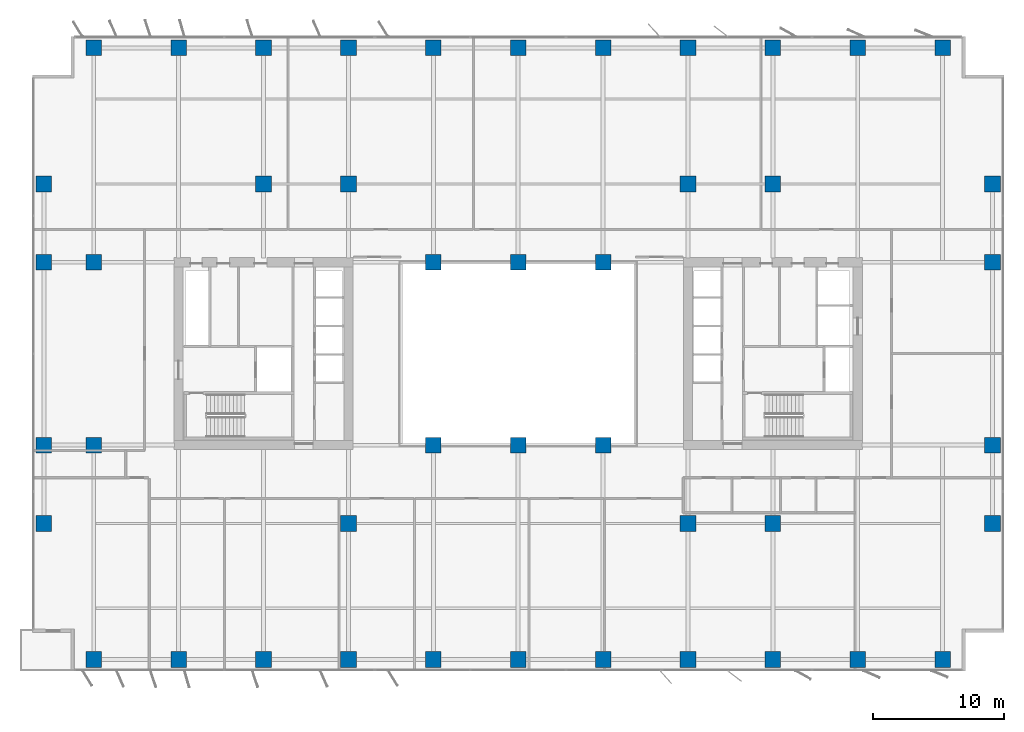
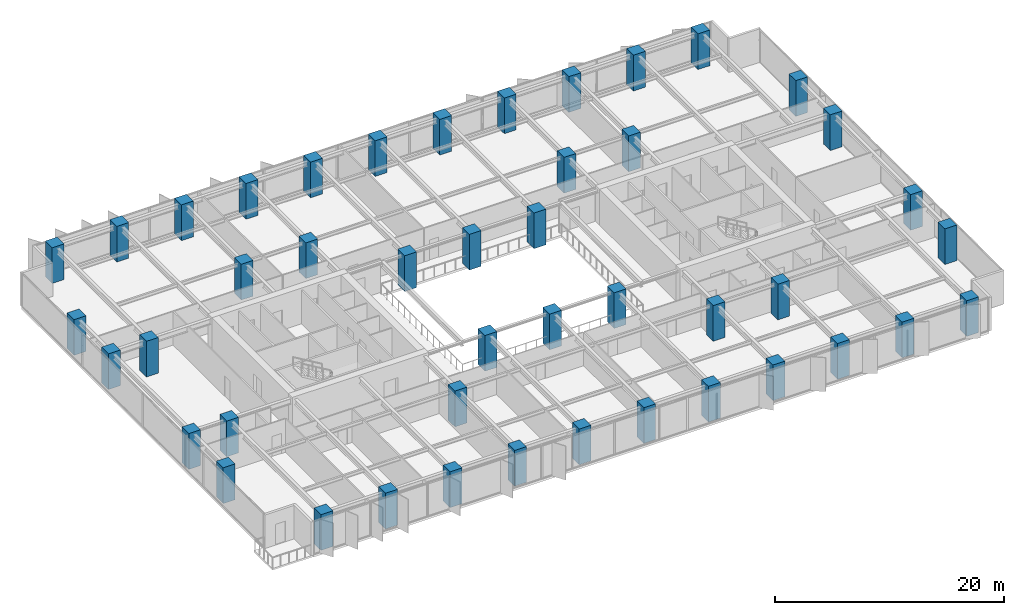
# One storey, part 1 of 20: 45 columns.
"""IFC4 building model written with IfcOpenShell, lengths in metres."""

from ifc_helpers import new_model, si_unit, direction, frame, origin, origin_2d, place, context, subcontext, project, spatial, rectangle, extrude, material, material_profile, profile_set, type_object, element, save


model = new_model("IFC4")

# Units and contexts
model_context = context("Model", 3, precision=1e-05, world=origin(), true_north=direction((0.0, 1.0)))
body_context = subcontext(model_context, "Body", "Model", "MODEL_VIEW")
ifc_project = project(units=[si_unit("LENGTHUNIT", "METRE"), si_unit("AREAUNIT", "SQUARE_METRE"), si_unit("VOLUMEUNIT", "CUBIC_METRE"), si_unit("PLANEANGLEUNIT", "RADIAN"), si_unit("MASSUNIT", "GRAM", prefix="KILO")], contexts=[model_context])

# Site, building, storey
site_placement = place(None, origin())
site = spatial("IfcSite", under=ifc_project, at=site_placement, CompositionType="ELEMENT")
building_placement = place(site_placement, origin())
building = spatial("IfcBuilding", under=site, at=building_placement, Name="Putna Gate Headquarters", CompositionType="ELEMENT")
storey_placement = place(building_placement, frame((0.0, 0.0, 101.199951171875)))
storey = spatial("IfcBuildingStorey", under=building, at=storey_placement, Name="L24", CompositionType="ELEMENT", Elevation=101.199951171875)

# Columns
ifc_material = material(Name="Concrete C60/75", Category="concrete")
ifc_material_profile_1 = material_profile(ifc_material, rectangle(XDim=1.199951171875, YDim=1.199951171875, at=origin_2d()), Name="Concrete C60/75")
ifc_profile_set_1 = profile_set([ifc_material_profile_1], Name="Concrete C60/75")
column_type_1 = type_object("IfcColumnType", Name="COL-RC1200-EXT", PredefinedType="COLUMN", material=ifc_profile_set_1)
for number, where, z_axis, x_axis, name in (
    (1, (6.5, 2.580078125, 0.0), (0.0, 0.0, 1.0), (1.0, 0.0, 0.0), "L24 Column CP-S6"),
    (2, (6.5, 49.419921875, 0.0), (0.0, 0.0, 1.0), (1.0, 0.0, 0.0), "L24 Column CP-N6"),
    (3, (13.0, 2.580078125, 0.0), (0.0, 0.0, 1.0), (1.0, 0.0, 0.0), "L24 Column CP-S13"),
    (4, (13.0, 49.419921875, 0.0), (0.0, 0.0, 1.0), (1.0, 0.0, 0.0), "L24 Column CP-N13"),
    (5, (19.5, 2.580078125, 0.0), (0.0, 0.0, 1.0), (1.0, 0.0, 0.0), "L24 Column CP-S19"),
    (6, (19.5, 49.419921875, 0.0), (0.0, 0.0, 1.0), (1.0, 0.0, 0.0), "L24 Column CP-N19"),
    (7, (26.0, 2.580078125, 0.0), (0.0, 0.0, 1.0), (1.0, 0.0, 0.0), "L24 Column CP-S26"),
    (8, (26.0, 49.419921875, 0.0), (0.0, 0.0, 1.0), (1.0, 0.0, 0.0), "L24 Column CP-N26"),
    (9, (32.5, 2.580078125, 0.0), (0.0, 0.0, 1.0), (1.0, 0.0, 0.0), "L24 Column CP-S32"),
    (10, (32.5, 49.419921875, 0.0), (0.0, 0.0, 1.0), (1.0, 0.0, 0.0), "L24 Column CP-N32"),
    (11, (39.0, 2.580078125, 0.0), (0.0, 0.0, 1.0), (1.0, 0.0, 0.0), "L24 Column CP-S39"),
    (12, (39.0, 49.419921875, 0.0), (0.0, 0.0, 1.0), (1.0, 0.0, 0.0), "L24 Column CP-N39"),
    (13, (45.5, 2.580078125, 0.0), (0.0, 0.0, 1.0), (1.0, 0.0, 0.0), "L24 Column CP-S45"),
    (14, (45.5, 49.419921875, 0.0), (0.0, 0.0, 1.0), (1.0, 0.0, 0.0), "L24 Column CP-N45"),
    (15, (52.0, 2.580078125, 0.0), (0.0, 0.0, 1.0), (1.0, 0.0, 0.0), "L24 Column CP-S52"),
    (16, (52.0, 49.419921875, 0.0), (0.0, 0.0, 1.0), (1.0, 0.0, 0.0), "L24 Column CP-N52"),
    (17, (58.5, 2.580078125, 0.0), (0.0, 0.0, 1.0), (1.0, 0.0, 0.0), "L24 Column CP-S58"),
    (18, (58.5, 49.419921875, 0.0), (0.0, 0.0, 1.0), (1.0, 0.0, 0.0), "L24 Column CP-N58"),
    (19, (65.0, 2.580078125, 0.0), (0.0, 0.0, 1.0), (1.0, 0.0, 0.0), "L24 Column CP-S65"),
    (20, (65.0, 49.419921875, 0.0), (0.0, 0.0, 1.0), (1.0, 0.0, 0.0), "L24 Column CP-N65"),
    (21, (71.5, 2.580078125, 0.0), (0.0, 0.0, 1.0), (1.0, 0.0, 0.0), "L24 Column CP-S71"),
    (22, (71.5, 49.419921875, 0.0), (0.0, 0.0, 1.0), (1.0, 0.0, 0.0), "L24 Column CP-N71"),
    (23, (2.679931640625, 13.0, 0.0), (0.0, 0.0, 1.0), (1.0, 0.0, 0.0), "L24 Column CP-W13"),
    (24, (75.320068359375, 13.0, 0.0), (0.0, 0.0, 1.0), (1.0, 0.0, 0.0), "L24 Column CP-E13"),
    (25, (2.679931640625, 19.0, 0.0), (0.0, 0.0, 1.0), (1.0, 0.0, 0.0), "L24 Column CP-W19"),
    (26, (75.320068359375, 19.0, 0.0), (0.0, 0.0, 1.0), (1.0, 0.0, 0.0), "L24 Column CP-E19"),
    (27, (2.679931640625, 33.0, 0.0), (0.0, 0.0, 1.0), (1.0, 0.0, 0.0), "L24 Column CP-W33"),
    (28, (75.320068359375, 33.0, 0.0), (0.0, 0.0, 1.0), (1.0, 0.0, 0.0), "L24 Column CP-E33"),
    (29, (2.679931640625, 39.0, 0.0), (0.0, 0.0, 1.0), (1.0, 0.0, 0.0), "L24 Column CP-W39"),
    (30, (75.320068359375, 39.0, 0.0), (0.0, 0.0, 1.0), (1.0, 0.0, 0.0), "L24 Column CP-E39"),
):
    element("IfcColumn", number, at=place(storey_placement, frame(where, z_axis=z_axis, x_axis=x_axis)), inside=storey, type_object=column_type_1, Name=name, PredefinedType="COLUMN", context=body_context, shape_type="SweptSolid", body=[
        extrude(rectangle(XDim=1.199951171875, YDim=1.199951171875, at=origin_2d()), origin(), (0.0, 0.0, 1.0), 3.800048828125),
    ])
ifc_material_profile_2 = material_profile(ifc_material, rectangle(XDim=1.199951171875, YDim=1.199951171875, at=origin_2d()), Name="Concrete C60/75")
ifc_profile_set_2 = profile_set([ifc_material_profile_2], Name="Concrete C60/75")
column_type_2 = type_object("IfcColumnType", Name="COL-RC1200-INT", PredefinedType="COLUMN", material=ifc_profile_set_2)
for number, where, z_axis, x_axis, name in (
    (31, (19.5, 39.0, 0.0), (0.0, 0.0, 1.0), (1.0, 0.0, 0.0), "L24 Column CSI-WN"),
    (32, (58.5, 13.0, 0.0), (0.0, 0.0, 1.0), (1.0, 0.0, 0.0), "L24 Column CSI-ES"),
    (33, (58.5, 39.0, 0.0), (0.0, 0.0, 1.0), (1.0, 0.0, 0.0), "L24 Column CSI-EN"),
    (34, (6.5, 19.0, 0.0), (0.0, 0.0, 1.0), (1.0, 0.0, 0.0), "L24 Column CSI-WM"),
    (35, (6.5, 33.0, 0.0), (0.0, 0.0, 1.0), (1.0, 0.0, 0.0), "L24 Column CSI-WNW"),
    (36, (32.5, 19.0, 0.0), (0.0, 0.0, 1.0), (1.0, 0.0, 0.0), "L24 Column CAI-S32"),
    (37, (32.5, 33.0, 0.0), (0.0, 0.0, 1.0), (1.0, 0.0, 0.0), "L24 Column CAI-N32"),
    (38, (39.0, 19.0, 0.0), (0.0, 0.0, 1.0), (1.0, 0.0, 0.0), "L24 Column CAI-S39"),
    (39, (39.0, 33.0, 0.0), (0.0, 0.0, 1.0), (1.0, 0.0, 0.0), "L24 Column CAI-N39"),
    (40, (45.5, 19.0, 0.0), (0.0, 0.0, 1.0), (1.0, 0.0, 0.0), "L24 Column CAI-S45"),
    (41, (45.5, 33.0, 0.0), (0.0, 0.0, 1.0), (1.0, 0.0, 0.0), "L24 Column CAI-N45"),
    (42, (26.0, 13.0, 0.0), (0.0, 0.0, 1.0), (1.0, 0.0, 0.0), "L24 Column CAP-WS"),
    (43, (26.0, 39.0, 0.0), (0.0, 0.0, 1.0), (1.0, 0.0, 0.0), "L24 Column CAP-WN"),
    (44, (52.0, 13.0, 0.0), (0.0, 0.0, 1.0), (1.0, 0.0, 0.0), "L24 Column CAP-ES"),
    (45, (52.0, 39.0, 0.0), (0.0, 0.0, 1.0), (1.0, 0.0, 0.0), "L24 Column CAP-EN"),
):
    element("IfcColumn", number, at=place(storey_placement, frame(where, z_axis=z_axis, x_axis=x_axis)), inside=storey, type_object=column_type_2, Name=name, PredefinedType="COLUMN", context=body_context, shape_type="SweptSolid", body=[
        extrude(rectangle(XDim=1.199951171875, YDim=1.199951171875, at=origin_2d()), origin(), (0.0, 0.0, 1.0), 3.800048828125),
    ])

save(model, "model.ifc")
